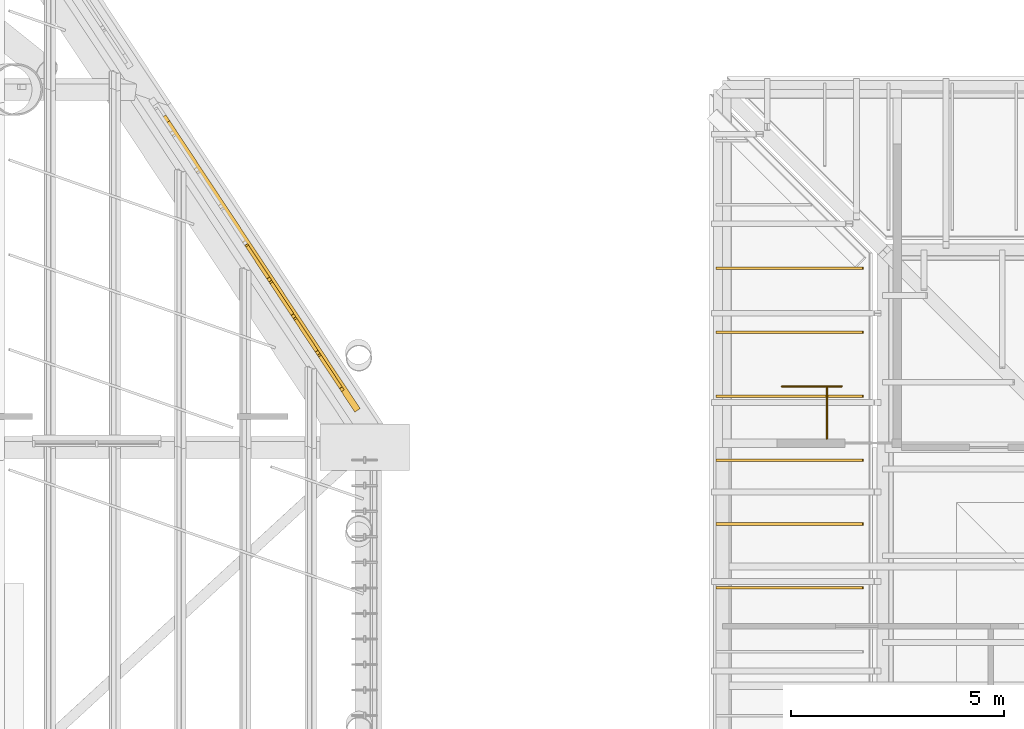
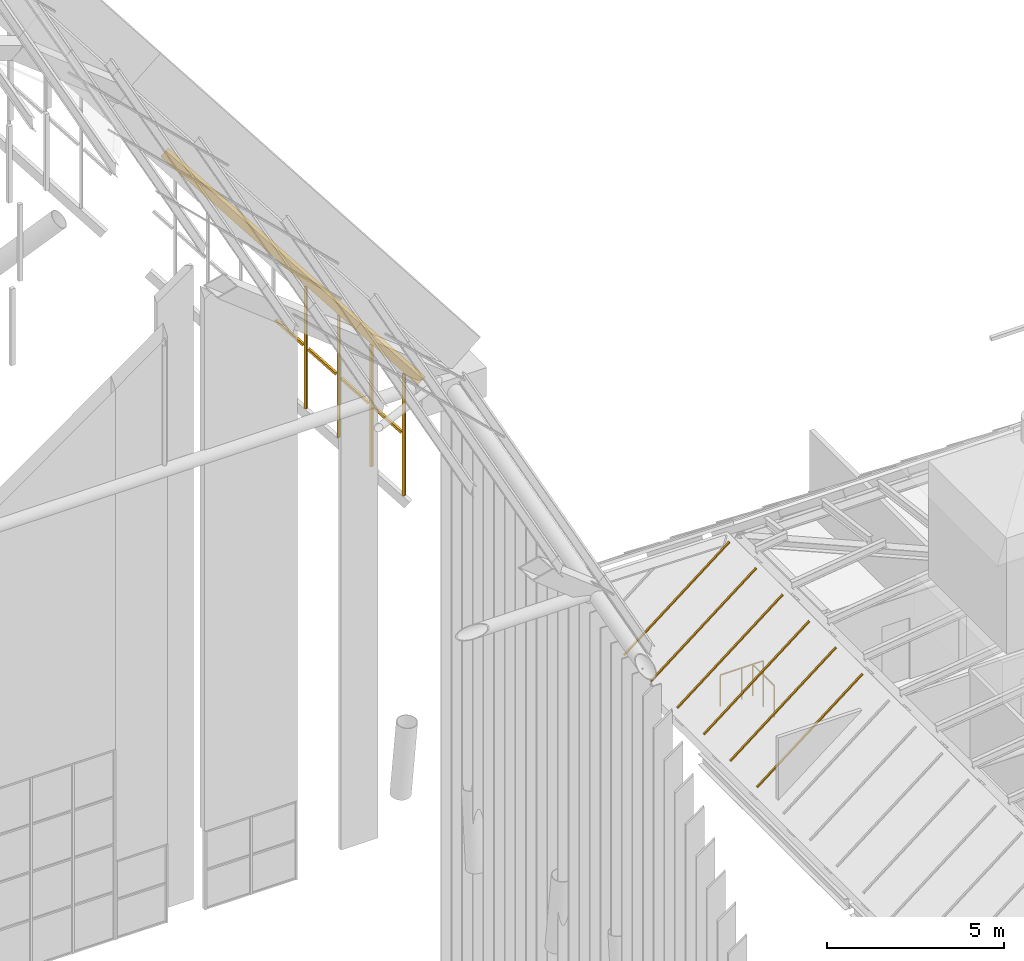
# One storey, part 118 of 126: 15 coverings, 2 railings.
"""IFC4 building model written with IfcOpenShell, lengths in metres."""

from ifc_helpers import new_model, si_unit, direction, frame, origin, origin_2d, place, context, subcontext, project, spatial, polyline, rectangle, circle, outline, extrude, material, layer, layer_set, material_profile, profile_set, type_object, element, save


model = new_model("IFC4")

# Units and contexts
model_context = context("Model", 3, precision=1e-05, world=origin(), true_north=direction((0.0, 1.0)))
body_context = subcontext(model_context, "Body", "Model", "MODEL_VIEW")
ifc_project = project(units=[si_unit("LENGTHUNIT", "METRE"), si_unit("AREAUNIT", "SQUARE_METRE"), si_unit("VOLUMEUNIT", "CUBIC_METRE"), si_unit("PLANEANGLEUNIT", "RADIAN"), si_unit("MASSUNIT", "GRAM", prefix="KILO")], contexts=[model_context])

# Site, building, storey
site_placement = place(None, origin())
site = spatial("IfcSite", under=ifc_project, at=site_placement, CompositionType="ELEMENT")
building_placement = place(site_placement, origin())
building = spatial("IfcBuilding", under=site, at=building_placement, Name="Sava Quay Ferry Terminal", CompositionType="ELEMENT")
storey_placement = place(building_placement, frame((0.0, 0.0, 15.0)))
storey = spatial("IfcBuildingStorey", under=building, at=storey_placement, Name="L03", CompositionType="ELEMENT", Elevation=15.0)

# Railings
ifc_material_1 = material(Name="Steel S355", Category="steel")
railing_type = type_object("IfcRailingType", Name="Guard 1100", PredefinedType="GUARDRAIL", material=ifc_material_1)
railing_1_placement = place(storey_placement, frame((94.85009765625, 101.0, 0.0)))
element("IfcRailing", 1, at=railing_1_placement, inside=storey, type_object=railing_type, Name="Guard at stair well ST-O3 L03", PredefinedType="GUARDRAIL", context=body_context, shape_type="SweptSolid", body=[
    extrude(circle(Radius=0.02392578125, at=origin_2d()), frame((0.0, 0.0, 1.076171875), z_axis=(0.0, 1.0, 0.0), x_axis=(-1.0, 0.0, 0.0)), (0.0, 0.0, 1.0), 1.22998046875),
    extrude(circle(Radius=0.02099609375, at=origin_2d()), origin(), (0.0, 0.0, 1.0), 1.052001953125),
    extrude(circle(Radius=0.02099609375, at=origin_2d()), frame((0.0, 0.614990234375, 0.0)), (0.0, 0.0, 1.0), 1.052001953125),
    extrude(circle(Radius=0.02099609375, at=origin_2d()), frame((0.0, 1.22998046875, 0.0)), (0.0, 0.0, 1.0), 1.052001953125),
])
railing_2_placement = place(storey_placement, frame((93.800048828125, 102.22998046875, 0.0)))
element("IfcRailing", 2, at=railing_2_placement, inside=storey, type_object=railing_type, Name="Guard at stair well ST-O3 L03", PredefinedType="GUARDRAIL", context=body_context, shape_type="SweptSolid", body=[
    extrude(circle(Radius=0.02392578125, at=origin_2d()), frame((0.0, 0.0, 1.076171875), z_axis=(1.0, 0.0, 0.0), x_axis=(0.0, 1.0, 0.0)), (0.0, 0.0, 1.0), 1.39990234375),
    extrude(circle(Radius=0.02099609375, at=origin_2d()), origin(), (0.0, 0.0, 1.0), 1.052001953125),
    extrude(circle(Radius=0.02099609375, at=origin_2d()), frame((0.699951171875, 0.0, 0.0)), (0.0, 0.0, 1.0), 1.052001953125),
    extrude(circle(Radius=0.02099609375, at=origin_2d()), frame((1.39990234375, 0.0, 0.0)), (0.0, 0.0, 1.0), 1.052001953125),
])

# Coverings
ifc_material_2 = material(Name="Zinc standing seam sheet")
ifc_material_profile_1 = material_profile(ifc_material_2, rectangle(XDim=0.300048828125, YDim=0.14990234375, at=origin_2d()), Name="Strip 300 x 150")
ifc_profile_set_1 = profile_set([ifc_material_profile_1], Name="Zinc standing seam sheet")
covering_type_1 = type_object("IfcCoveringType", Name="Prow apron batten band 300 x 150", PredefinedType="CLADDING", material=ifc_profile_set_1)
covering_placement = place(storey_placement, frame((83.786865234375, 101.73828125, 15.000244140625), z_axis=(-0.460666923678, 0.696308419642, 0.550400372606), x_axis=(0.303690248187, -0.459034642833, 0.834900850302)))
element("IfcCovering", 3, at=covering_placement, inside=storey, type_object=covering_type_1, Name="Prow apron batten band", PredefinedType="CLADDING", context=body_context, shape_type="SweptSolid", body=[
    extrude(rectangle(XDim=0.300048828125, YDim=0.14990234375, at=origin_2d()), origin(), (0.0, 0.0, 1.0), 9.704833984375),
])
ifc_material_3 = material(Name="Zinc standing seam sheet")
ifc_material_profile_2 = material_profile(ifc_material_3, rectangle(XDim=0.080078125, YDim=0.080078125, at=origin_2d()), Name="Strip 80 x 80")
ifc_profile_set_2 = profile_set([ifc_material_profile_2], Name="Zinc standing seam sheet")
covering_type_2 = type_object("IfcCoveringType", Name="Prow apron seam rib 80 x 80", PredefinedType="CLADDING", material=ifc_profile_set_2)
for number, where, z_axis, x_axis, name in (
    (4, (83.465087890625, 102.1611328125, 10.9287109375), (0.0, 0.0, 1.0), (0.55177120658, -0.833995524922, 0.0), "Prow apron seam rib"),
    (5, (82.896728515625, 103.020263671875, 11.60791015625), (0.0, 0.0, 1.0), (0.55177120658, -0.833995524922, 0.0), "Prow apron seam rib"),
):
    element("IfcCovering", number, at=place(storey_placement, frame(where, z_axis=z_axis, x_axis=x_axis)), inside=storey, type_object=covering_type_2, Name=name, PredefinedType="CLADDING", context=body_context, shape_type="SweptSolid", body=[
        extrude(rectangle(XDim=0.080078125, YDim=0.080078125, at=origin_2d()), origin(), (0.0, 0.0, 1.0), 4.201171875),
    ])
for number, where, z_axis, x_axis, name in (
    (6, (82.328369140625, 103.87939453125, 12.286865234375), (0.0, 0.0, 1.0), (0.55177120658, -0.833995524922, 0.0), "Prow apron seam rib"),
    (7, (81.759765625, 104.73876953125, 12.966064453125), (0.0, 0.0, 1.0), (0.55177120658, -0.833995524922, 0.0), "Prow apron seam rib"),
):
    element("IfcCovering", number, at=place(storey_placement, frame(where, z_axis=z_axis, x_axis=x_axis)), inside=storey, type_object=covering_type_2, Name=name, PredefinedType="CLADDING", context=body_context, shape_type="SweptSolid", body=[
        extrude(rectangle(XDim=0.080078125, YDim=0.080078125, at=origin_2d()), origin(), (0.0, 0.0, 1.0), 4.201416015625),
    ])
for number, where, z_axis, x_axis, name in (
    (8, (83.426513671875, 102.219482421875, 13.075439453125), (-0.460675627767, 0.696279614333, 0.550429527411), (0.303719065203, -0.459050535429, 0.834881629546), "Prow apron cross seam"),
    (9, (82.858154296875, 103.07861328125, 13.754638671875), (-0.460675627767, 0.696279614333, 0.550429527411), (0.303719065203, -0.459050535429, 0.834881629546), "Prow apron cross seam"),
    (10, (82.289794921875, 103.93798828125, 14.433837890625), (-0.460733684952, 0.696367363786, 0.550269903051), (0.303630986787, -0.458917410943, 0.834986846481), "Prow apron cross seam"),
    (11, (81.72119140625, 104.797119140625, 15.11279296875), (-0.460675627767, 0.696279614333, 0.550429527411), (0.303719065203, -0.459050535429, 0.834881629546), "Prow apron cross seam"),
):
    element("IfcCovering", number, at=place(storey_placement, frame(where, z_axis=z_axis, x_axis=x_axis)), inside=storey, type_object=covering_type_2, Name=name, PredefinedType="CLADDING", context=body_context, shape_type="SweptSolid", body=[
        extrude(rectangle(XDim=0.080078125, YDim=0.080078125, at=origin_2d()), origin(), (0.0, 0.0, 1.0), 1.066162109375),
    ])
ifc_material_4 = material(Name="Zinc standing seam")
ifc_layer = layer(ifc_material_4, 0.0400390625)
ifc_layer_set = layer_set([ifc_layer], Name="Zinc standing seam")
covering_type_3 = type_object("IfcCoveringType", Name="Roof seam rib 60", PredefinedType="ROOFING", material=ifc_layer_set)
for number, where, z_axis, x_axis, name in (
    (12, (92.246337890625, 97.530029296875, 0.635986328125), (-0.6177895076, 0.0, 0.786343515456), (0.786343515456, 0.0, 0.6177895076), "Roof seam rib"),
    (13, (92.246337890625, 99.030029296875, 0.635986328125), (-0.6177895076, 0.0, 0.786343515456), (0.786343515456, 0.0, 0.6177895076), "Roof seam rib"),
    (14, (92.246337890625, 100.530029296875, 0.635986328125), (-0.6177895076, 0.0, 0.786343515456), (0.786343515456, 0.0, 0.6177895076), "Roof seam rib"),
    (15, (92.246337890625, 102.030029296875, 0.635986328125), (-0.6177895076, 0.0, 0.786343515456), (0.786343515456, 0.0, 0.6177895076), "Roof seam rib"),
    (16, (92.246337890625, 103.530029296875, 0.635986328125), (-0.6177895076, 0.0, 0.786343515456), (0.786343515456, 0.0, 0.6177895076), "Roof seam rib"),
    (17, (92.246337890625, 105.030029296875, 0.635986328125), (-0.6177895076, 0.0, 0.786343515456), (0.786343515456, 0.0, 0.6177895076), "Roof seam rib"),
):
    element("IfcCovering", number, at=place(storey_placement, frame(where, z_axis=z_axis, x_axis=x_axis)), inside=storey, type_object=covering_type_3, Name=name, PredefinedType="ROOFING", context=body_context, shape_type="SweptSolid", body=[
        extrude(outline(polyline([(0.0, 0.0), (4.374293420136924, 0.0), (4.374293420136924, -0.06005859375), (0.0, -0.06005859375), (0.0, 0.0)])), origin(), (0.0, 0.0, -1.0), 0.0400390625),
    ])

save(model, "model.ifc")
